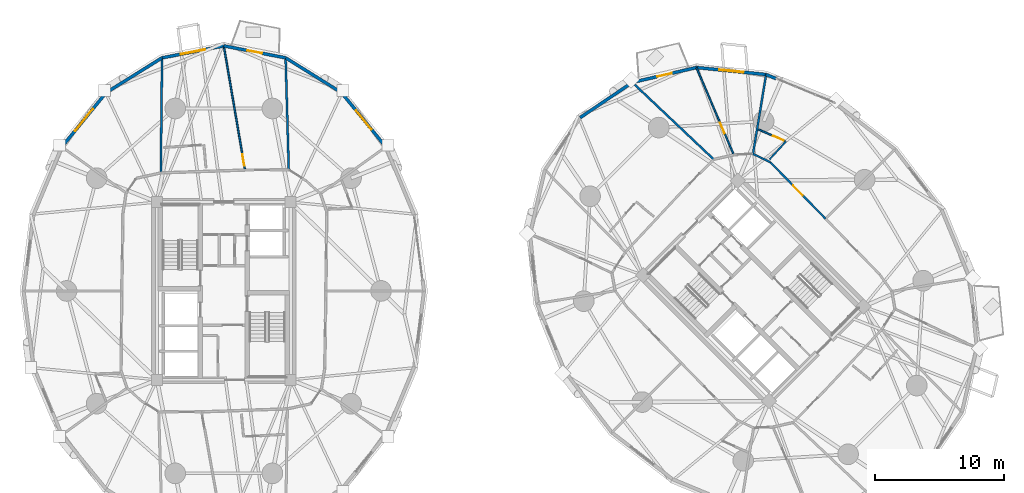
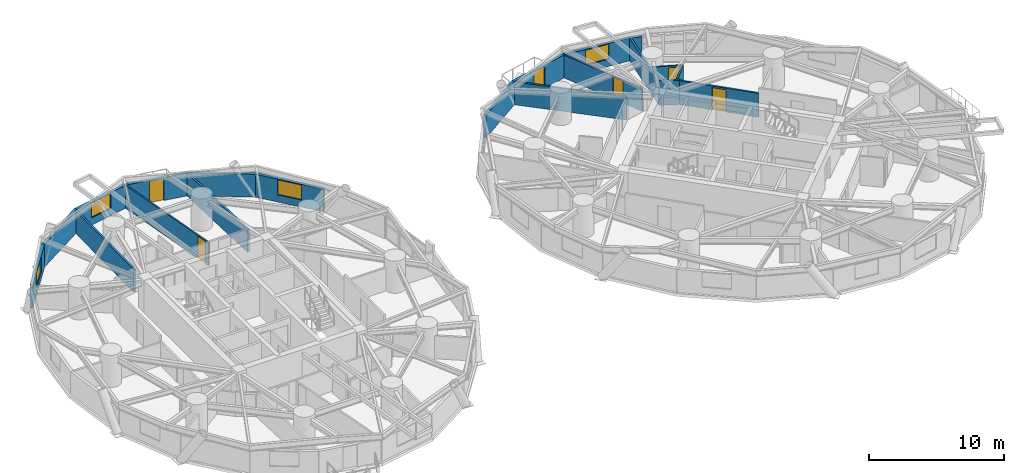
# One storey, part 15 of 19: 20 walls, 6 doors, 4 windows, 10 openings.
"""IFC4 building model written with IfcOpenShell, lengths in metres."""

from ifc_helpers import new_model, si_unit, direction, frame, frame_2d, origin, place, context, subcontext, project, spatial, rectangle, extrude, source, transform, mapped, material, layer, layer_set, type_object, element, fill, save


model = new_model("IFC4")

# Units and contexts
model_context = context("Model", 3, precision=1e-05, world=origin(), true_north=direction((0.0, 1.0)))
body_context = subcontext(model_context, "Body", "Model", "MODEL_VIEW")
ifc_project = project(units=[si_unit("LENGTHUNIT", "METRE"), si_unit("AREAUNIT", "SQUARE_METRE"), si_unit("VOLUMEUNIT", "CUBIC_METRE"), si_unit("PLANEANGLEUNIT", "RADIAN"), si_unit("MASSUNIT", "GRAM", prefix="KILO")], contexts=[model_context])

# Site, building, storey
site_placement = place(None, origin())
site = spatial("IfcSite", under=ifc_project, at=site_placement, CompositionType="ELEMENT")
building_placement = place(site_placement, origin())
building = spatial("IfcBuilding", under=site, at=building_placement, Name="Cununo Teusaquillo Station Towers", CompositionType="ELEMENT")
storey_placement = place(building_placement, frame((0.0, 0.0, 30.72998046875)))
storey = spatial("IfcBuildingStorey", under=building, at=storey_placement, Name="L08", CompositionType="ELEMENT", Elevation=30.72998046875)

# Wall, opening, window
ifc_material_1 = material(Name="Precast concrete C40/50", Category="concrete")
ifc_layer_1 = layer(ifc_material_1, 0.239990234375)
ifc_layer_set_1 = layer_set([ifc_layer_1], Name="Precast concrete C40/50")
wall_type_1 = type_object("IfcWallType", Name="WL-EXT-240", PredefinedType="SOLIDWALL", material=ifc_layer_set_1)
wall_1_placement = place(storey_placement, frame((25.610107421875, 39.84716796875, 0.0), z_axis=(0.0, 0.0, 1.0), x_axis=(0.632710215588, -0.774388651189, 0.0)))
wall_1 = element("IfcWall", 1, at=wall_1_placement, inside=storey, type_object=wall_type_1, Name="L08 Tower A Exterior Facade Wall C02", PredefinedType="SOLIDWALL", context=body_context, shape_type="SweptSolid", body=[
    extrude(rectangle(XDim=5.41943359375, YDim=0.239990234375, at=frame_2d((2.709716796875, 0.0))), origin(), (0.0, 0.0, 1.0), 2.072998046875),
])
shared_shape_1 = source(origin(), body_context, "Body", "SweptSolid", [
    extrude(rectangle(XDim=1.89990234375, YDim=1.35009765625, at=frame_2d((0.949951171875, 0.675048828125))), frame((0.0, 0.1298828125, 0.0), z_axis=(0.0, -1.0, 0.0), x_axis=(1.0, 0.0, 0.0)), (0.0, 0.0, 1.0), 0.260009765625),
])
opening_1_placement = place(wall_1_placement, frame((1.760009765625, 0.0, 0.64990234375)))
opening_1 = element("IfcOpeningElement", 2, at=opening_1_placement, cuts=wall_1, Name="Opening WN-02", PredefinedType="OPENING", context=body_context, shape_type="MappedRepresentation", body=[
    mapped(shared_shape_1, transform((0.0, 0.0, 0.0), x_axis=(1.0, 0.0, 0.0), y_axis=(0.0, 1.0, 0.0), z_axis=(0.0, 0.0, 1.0), scale=1.0)),
])
ifc_material_2 = material(Name="Operable acoustic tinted low-E double glazing", Category="glass")
window_type_1 = type_object("IfcWindowType", Name="WIN-OPER-1900", PartitioningType="DOUBLE_PANEL_VERTICAL", PredefinedType="WINDOW", material=ifc_material_2)
shared_shape_2 = source(origin(), body_context, "Body", "SweptSolid", [
    extrude(rectangle(XDim=1.89990234375, YDim=1.35009765625, at=frame_2d((0.949951171875, 0.675048828125))), frame((0.0, 0.030029296875, 0.0), z_axis=(0.0, -1.0, 0.0), x_axis=(1.0, 0.0, 0.0)), (0.0, 0.0, 1.0), 0.06005859375),
])
window_1_placement = place(opening_1_placement, origin())
window_1 = element("IfcWindow", 3, at=window_1_placement, inside=storey, type_object=window_type_1, Name="L08 Tower A Facade Window C02", OverallHeight=1.35009765625, OverallWidth=1.89990234375, PartitioningType="DOUBLE_PANEL_VERTICAL", PredefinedType="WINDOW", context=body_context, shape_type="MappedRepresentation", body=[
    mapped(shared_shape_2, transform((0.0, 0.0, 0.0), x_axis=(1.0, 0.0, 0.0), y_axis=(0.0, 1.0, 0.0), z_axis=(0.0, 0.0, 1.0), scale=1.0)),
])
fill(opening_1, window_1)

# Wall
wall_2_placement = place(storey_placement, frame((21.28955078125, 42.54150390625, 0.0), z_axis=(0.0, 0.0, 1.0), x_axis=(0.848528534887, -0.529149624853, 0.0)))
element("IfcWall", 4, at=wall_2_placement, inside=storey, type_object=wall_type_1, Name="L08 Tower A Exterior Facade Wall C03", PredefinedType="SOLIDWALL", context=body_context, shape_type="SweptSolid", body=[
    extrude(rectangle(XDim=5.091796875, YDim=0.239990234375, at=frame_2d((2.5458984375, 0.0))), origin(), (0.0, 0.0, 1.0), 2.072998046875),
])

# Wall, opening, door
wall_3_placement = place(storey_placement, frame((16.5, 43.469970703125, 0.0), z_axis=(0.0, 0.0, 1.0), x_axis=(0.981724094622, -0.190309752872, 0.0)))
wall_3 = element("IfcWall", 5, at=wall_3_placement, inside=storey, type_object=wall_type_1, Name="L08 Tower A Exterior Facade Wall C04", PredefinedType="SOLIDWALL", context=body_context, shape_type="SweptSolid", body=[
    extrude(rectangle(XDim=4.878662109375, YDim=0.239990234375, at=frame_2d((2.439453125, 0.0))), origin(), (0.0, 0.0, 1.0), 2.072998046875),
])
shared_shape_3 = source(origin(), body_context, "Body", "SweptSolid", [
    extrude(rectangle(XDim=1.14990234375, YDim=2.0048828125, at=frame_2d((0.574951171875, 1.00244140625))), frame((0.0, 0.1298828125, 0.0), z_axis=(0.0, -1.0, 0.0), x_axis=(1.0, 0.0, 0.0)), (0.0, 0.0, 1.0), 0.260009765625),
])
opening_2_placement = place(wall_3_placement, frame((1.864013671875, 0.0, 0.0)))
opening_2 = element("IfcOpeningElement", 6, at=opening_2_placement, cuts=wall_3, Name="Opening ED-03", PredefinedType="OPENING", context=body_context, shape_type="MappedRepresentation", body=[
    mapped(shared_shape_3, transform((0.0, 0.0, 0.0), x_axis=(1.0, 0.0, 0.0), y_axis=(0.0, 1.0, 0.0), z_axis=(0.0, 0.0, 1.0), scale=1.0)),
])
ifc_material_3 = material(Name="Anodised dark bronze aluminium EN AW-6063-T6", Category="aluminium")
door_type_1 = type_object("IfcDoorType", Name="DR-EXT-BAL", OperationType="NOTDEFINED", PredefinedType="DOOR", material=ifc_material_3)
shared_shape_4 = source(origin(), body_context, "Body", "SweptSolid", [
    extrude(rectangle(XDim=1.14990234375, YDim=2.0048828125, at=frame_2d((0.574951171875, 1.00244140625))), frame((0.0, 0.02490234375, 0.0), z_axis=(0.0, -1.0, 0.0), x_axis=(1.0, 0.0, 0.0)), (0.0, 0.0, 1.0), 0.050048828125),
])
door_1_placement = place(opening_2_placement, origin())
door_1 = element("IfcDoor", 7, at=door_1_placement, inside=storey, type_object=door_type_1, Name="L08 Tower A Tree Balcony Door C04", OperationType="SINGLE_SWING_LEFT", OverallHeight=2.0048828125, OverallWidth=1.14990234375, PredefinedType="DOOR", context=body_context, shape_type="MappedRepresentation", body=[
    mapped(shared_shape_4, transform((0.0, 0.0, 0.0), x_axis=(1.0, 0.0, 0.0), y_axis=(0.0, 1.0, 0.0), z_axis=(0.0, 0.0, 1.0), scale=1.0)),
])
fill(opening_2, door_1)

# Wall, opening, window
wall_4_placement = place(storey_placement, frame((11.71044921875, 42.54150390625, 0.0), z_axis=(0.0, 0.0, 1.0), x_axis=(0.981724094622, 0.190309752872, 0.0)))
wall_4 = element("IfcWall", 8, at=wall_4_placement, inside=storey, type_object=wall_type_1, Name="L08 Tower A Exterior Facade Wall C05", PredefinedType="SOLIDWALL", context=body_context, shape_type="SweptSolid", body=[
    extrude(rectangle(XDim=4.878662109375, YDim=0.239990234375, at=frame_2d((2.439453125, 0.0))), origin(), (0.0, 0.0, 1.0), 2.072998046875),
])
opening_3_placement = place(wall_4_placement, frame((1.489013671875, 0.0, 0.64990234375)))
opening_3 = element("IfcOpeningElement", 9, at=opening_3_placement, cuts=wall_4, Name="Opening WN-02", PredefinedType="OPENING", context=body_context, shape_type="MappedRepresentation", body=[
    mapped(shared_shape_1, transform((0.0, 0.0, 0.0), x_axis=(1.0, 0.0, 0.0), y_axis=(0.0, 1.0, 0.0), z_axis=(0.0, 0.0, 1.0), scale=1.0)),
])
window_2_placement = place(opening_3_placement, origin())
window_2 = element("IfcWindow", 10, at=window_2_placement, inside=storey, type_object=window_type_1, Name="L08 Tower A Facade Window C05", OverallHeight=1.35009765625, OverallWidth=1.89990234375, PartitioningType="DOUBLE_PANEL_VERTICAL", PredefinedType="WINDOW", context=body_context, shape_type="MappedRepresentation", body=[
    mapped(shared_shape_2, transform((0.0, 0.0, 0.0), x_axis=(1.0, 0.0, 0.0), y_axis=(0.0, 1.0, 0.0), z_axis=(0.0, 0.0, 1.0), scale=1.0)),
])
fill(opening_3, window_2)

# Wall
wall_5_placement = place(storey_placement, frame((7.389892578125, 39.84716796875, 0.0), z_axis=(0.0, 0.0, 1.0), x_axis=(0.848528534887, 0.529149624853, 0.0)))
element("IfcWall", 11, at=wall_5_placement, inside=storey, type_object=wall_type_1, Name="L08 Tower A Exterior Facade Wall C06", PredefinedType="SOLIDWALL", context=body_context, shape_type="SweptSolid", body=[
    extrude(rectangle(XDim=5.091796875, YDim=0.239990234375, at=frame_2d((2.5458984375, 0.0))), origin(), (0.0, 0.0, 1.0), 2.072998046875),
])

# Wall, opening, window
wall_6_placement = place(storey_placement, frame((3.9609375, 35.650390625, 0.0), z_axis=(0.0, 0.0, 1.0), x_axis=(0.632710215588, 0.774388651189, 0.0)))
wall_6 = element("IfcWall", 12, at=wall_6_placement, inside=storey, type_object=wall_type_1, Name="L08 Tower A Exterior Facade Wall C07", PredefinedType="SOLIDWALL", context=body_context, shape_type="SweptSolid", body=[
    extrude(rectangle(XDim=5.41943359375, YDim=0.239990234375, at=frame_2d((2.709716796875, 0.0))), origin(), (0.0, 0.0, 1.0), 2.072998046875),
])
shared_shape_5 = source(origin(), body_context, "Body", "SweptSolid", [
    extrude(rectangle(XDim=2.199951171875, YDim=1.35009765625, at=frame_2d((1.10009765625, 0.675048828125))), frame((0.0, 0.1298828125, 0.0), z_axis=(0.0, -1.0, 0.0), x_axis=(1.0, 0.0, 0.0)), (0.0, 0.0, 1.0), 0.260009765625),
])
opening_4_placement = place(wall_6_placement, frame((1.610107421875, 0.0, 0.64990234375)))
opening_4 = element("IfcOpeningElement", 13, at=opening_4_placement, cuts=wall_6, Name="Opening WN-01", PredefinedType="OPENING", context=body_context, shape_type="MappedRepresentation", body=[
    mapped(shared_shape_5, transform((0.0, 0.0, 0.0), x_axis=(1.0, 0.0, 0.0), y_axis=(0.0, 1.0, 0.0), z_axis=(0.0, 0.0, 1.0), scale=1.0)),
])
ifc_material_4 = material(Name="Ceramic-fritted dark low-E double glazing", Category="glass")
window_type_2 = type_object("IfcWindowType", Name="WIN-FRIT-2200", PartitioningType="DOUBLE_PANEL_VERTICAL", PredefinedType="WINDOW", material=ifc_material_4)
shared_shape_6 = source(origin(), body_context, "Body", "SweptSolid", [
    extrude(rectangle(XDim=2.199951171875, YDim=1.35009765625, at=frame_2d((1.10009765625, 0.675048828125))), frame((0.0, 0.030029296875, 0.0), z_axis=(0.0, -1.0, 0.0), x_axis=(1.0, 0.0, 0.0)), (0.0, 0.0, 1.0), 0.06005859375),
])
window_3_placement = place(opening_4_placement, origin())
window_3 = element("IfcWindow", 14, at=window_3_placement, inside=storey, type_object=window_type_2, Name="L08 Tower A Facade Window C07", OverallHeight=1.35009765625, OverallWidth=2.199951171875, PartitioningType="DOUBLE_PANEL_VERTICAL", PredefinedType="WINDOW", context=body_context, shape_type="MappedRepresentation", body=[
    mapped(shared_shape_6, transform((0.0, 0.0, 0.0), x_axis=(1.0, 0.0, 0.0), y_axis=(0.0, 1.0, 0.0), z_axis=(0.0, 0.0, 1.0), scale=1.0)),
])
fill(opening_4, window_3)

# Wall
wall_7_placement = place(storey_placement, frame((58.48193359375, 41.2509765625, 0.0), z_axis=(0.0, 0.0, 1.0), x_axis=(0.924556017656, -0.381046152345, 0.0)))
element("IfcWall", 15, at=wall_7_placement, inside=storey, type_object=wall_type_1, Name="L08 Tower B Column Pier Cladding Wall C01-PA", PredefinedType="SOLIDWALL", context=body_context, shape_type="SweptSolid", body=[
    extrude(rectangle(XDim=0.8701171875, YDim=0.239990234375, at=frame_2d((0.43505859375, 0.0))), origin(), (0.0, 0.0, 1.0), 2.072998046875),
])

# Wall, opening, window
wall_8_placement = place(storey_placement, frame((53.08984375, 41.7939453125, 0.0), z_axis=(0.0, 0.0, 1.0), x_axis=(0.994968263437, -0.100190592135, 0.0)))
wall_8 = element("IfcWall", 16, at=wall_8_placement, inside=storey, type_object=wall_type_1, Name="L08 Tower B Exterior Facade Wall C02", PredefinedType="SOLIDWALL", context=body_context, shape_type="SweptSolid", body=[
    extrude(rectangle(XDim=5.41943359375, YDim=0.239990234375, at=frame_2d((2.709716796875, 0.0))), origin(), (0.0, 0.0, 1.0), 2.072998046875),
])
opening_5_placement = place(wall_8_placement, frame((1.760009765625, 0.0, 0.64990234375)))
opening_5 = element("IfcOpeningElement", 17, at=opening_5_placement, cuts=wall_8, Name="Opening WN-02", PredefinedType="OPENING", context=body_context, shape_type="MappedRepresentation", body=[
    mapped(shared_shape_1, transform((0.0, 0.0, 0.0), x_axis=(1.0, 0.0, 0.0), y_axis=(0.0, 1.0, 0.0), z_axis=(0.0, 0.0, 1.0), scale=1.0)),
])
window_4_placement = place(opening_5_placement, origin())
window_4 = element("IfcWindow", 18, at=window_4_placement, inside=storey, type_object=window_type_1, Name="L08 Tower B Facade Window C02", OverallHeight=1.35009765625, OverallWidth=1.89990234375, PartitioningType="DOUBLE_PANEL_VERTICAL", PredefinedType="WINDOW", context=body_context, shape_type="MappedRepresentation", body=[
    mapped(shared_shape_2, transform((0.0, 0.0, 0.0), x_axis=(1.0, 0.0, 0.0), y_axis=(0.0, 1.0, 0.0), z_axis=(0.0, 0.0, 1.0), scale=1.0)),
])
fill(opening_5, window_4)

# Wall, opening, door
wall_9_placement = place(storey_placement, frame((48.12939453125, 40.64404296875, 0.0), z_axis=(0.0, 0.0, 1.0), x_axis=(0.974167686491, 0.22582585901, 0.0)))
wall_9 = element("IfcWall", 19, at=wall_9_placement, inside=storey, type_object=wall_type_1, Name="L08 Tower B Exterior Facade Wall C03", PredefinedType="SOLIDWALL", context=body_context, shape_type="SweptSolid", body=[
    extrude(rectangle(XDim=5.092041015625, YDim=0.239990234375, at=frame_2d((2.5458984375, 0.0))), origin(), (0.0, 0.0, 1.0), 2.072998046875),
])
opening_6_placement = place(wall_9_placement, frame((1.970947265625, 0.0, 0.0)))
opening_6 = element("IfcOpeningElement", 20, at=opening_6_placement, cuts=wall_9, Name="Opening ED-03", PredefinedType="OPENING", context=body_context, shape_type="MappedRepresentation", body=[
    mapped(shared_shape_3, transform((0.0, 0.0, 0.0), x_axis=(1.0, 0.0, 0.0), y_axis=(0.0, 1.0, 0.0), z_axis=(0.0, 0.0, 1.0), scale=1.0)),
])
door_2_placement = place(opening_6_placement, origin())
door_2 = element("IfcDoor", 21, at=door_2_placement, inside=storey, type_object=door_type_1, Name="L08 Tower B Tree Balcony Door C03", OperationType="SINGLE_SWING_LEFT", OverallHeight=2.0048828125, OverallWidth=1.14990234375, PredefinedType="DOOR", context=body_context, shape_type="MappedRepresentation", body=[
    mapped(shared_shape_4, transform((0.0, 0.0, 0.0), x_axis=(1.0, 0.0, 0.0), y_axis=(0.0, 1.0, 0.0), z_axis=(0.0, 0.0, 1.0), scale=1.0)),
])
fill(opening_6, door_2)

# Wall
wall_10_placement = place(storey_placement, frame((44.086181640625, 37.913818359375, 0.0), z_axis=(0.0, 0.0, 1.0), x_axis=(0.828748297084, 0.559621532896, 0.0)))
element("IfcWall", 22, at=wall_10_placement, inside=storey, type_object=wall_type_1, Name="L08 Tower B Exterior Facade Wall C04", PredefinedType="SOLIDWALL", context=body_context, shape_type="SweptSolid", body=[
    extrude(rectangle(XDim=4.878662109375, YDim=0.239990234375, at=frame_2d((2.439453125, 0.0))), origin(), (0.0, 0.0, 1.0), 2.072998046875),
])

# Wall, opening, door
ifc_material_5 = material(Name="Fire-rated gypsum plasterboard partition assembly", Category="gypsum")
ifc_layer_2 = layer(ifc_material_5, 0.125)
ifc_layer_set_2 = layer_set([ifc_layer_2], Name="Fire-rated gypsum plasterboard partition assembly")
wall_type_2 = type_object("IfcWallType", Name="WL-PART-125", PredefinedType="PARTITIONING", material=ifc_layer_set_2)
wall_11_placement = place(storey_placement, frame((18.142822265625, 33.859619140625, 0.0), z_axis=(0.0, 0.0, 1.0), x_axis=(-0.168840545196, 0.985643378864, 0.0)))
wall_11 = element("IfcWall", 23, at=wall_11_placement, inside=storey, type_object=wall_type_2, Name="L08 Tower A Executive Corner Hotel Suite Suite Subdividing Wall", PredefinedType="PARTITIONING", context=body_context, shape_type="SweptSolid", body=[
    extrude(rectangle(XDim=9.72998046875, YDim=0.125, at=frame_2d((4.864990234375, 0.0))), origin(), (0.0, 0.0, 1.0), 2.072998046875),
])
shared_shape_7 = source(origin(), body_context, "Body", "SweptSolid", [
    extrude(rectangle(XDim=0.89990234375, YDim=2.0048828125, at=frame_2d((0.449951171875, 1.00244140625))), frame((0.0, 0.072509765625, 0.0), z_axis=(0.0, -1.0, 0.0), x_axis=(1.0, 0.0, 0.0)), (0.0, 0.0, 1.0), 0.14501953125),
])
opening_7_placement = place(wall_11_placement, frame((0.330078125, 0.0, 0.0)))
opening_7 = element("IfcOpeningElement", 24, at=opening_7_placement, cuts=wall_11, Name="Opening D-IN1", PredefinedType="OPENING", context=body_context, shape_type="MappedRepresentation", body=[
    mapped(shared_shape_7, transform((0.0, 0.0, 0.0), x_axis=(1.0, 0.0, 0.0), y_axis=(0.0, 1.0, 0.0), z_axis=(0.0, 0.0, 1.0), scale=1.0)),
])
ifc_material_6 = material(Name="Acoustic solid-core hardwood leaf assembly", Category="wood")
door_type_2 = type_object("IfcDoorType", Name="DR-INT-900", OperationType="NOTDEFINED", PredefinedType="DOOR", material=ifc_material_6)
shared_shape_8 = source(origin(), body_context, "Body", "SweptSolid", [
    extrude(rectangle(XDim=0.89990234375, YDim=2.0048828125, at=frame_2d((0.449951171875, 1.00244140625))), frame((0.0, 0.02490234375, 0.0), z_axis=(0.0, -1.0, 0.0), x_axis=(1.0, 0.0, 0.0)), (0.0, 0.0, 1.0), 0.050048828125),
])
door_3_placement = place(opening_7_placement, origin())
door_3 = element("IfcDoor", 25, at=door_3_placement, inside=storey, type_object=door_type_2, Name="L08 Tower A Executive Corner Hotel Suite Suite Connecting Door", OperationType="SINGLE_SWING_LEFT", OverallHeight=2.0048828125, OverallWidth=0.89990234375, PredefinedType="DOOR", context=body_context, shape_type="MappedRepresentation", body=[
    mapped(shared_shape_8, transform((0.0, 0.0, 0.0), x_axis=(1.0, 0.0, 0.0), y_axis=(0.0, 1.0, 0.0), z_axis=(0.0, 0.0, 1.0), scale=1.0)),
])
fill(opening_7, door_3)

wall_12_placement = place(storey_placement, frame((55.98388671875, 35.035400390625, 0.0), z_axis=(0.0, 0.0, 1.0), x_axis=(-0.394244760106, 0.919005478291, 0.0)))
wall_12 = element("IfcWall", 26, at=wall_12_placement, inside=storey, type_object=wall_type_2, Name="L08 Tower B Hotel Club Breakfast Lounge Suite Subdividing Wall", PredefinedType="PARTITIONING", context=body_context, shape_type="SweptSolid", body=[
    extrude(rectangle(XDim=7.332763671875, YDim=0.125, at=frame_2d((3.66650390625, 0.0))), origin(), (0.0, 0.0, 1.0), 2.072998046875),
])
opening_8_placement = place(wall_12_placement, frame((1.800048828125, 0.0, 0.0)))
opening_8 = element("IfcOpeningElement", 27, at=opening_8_placement, cuts=wall_12, Name="Opening D-IN1", PredefinedType="OPENING", context=body_context, shape_type="MappedRepresentation", body=[
    mapped(shared_shape_7, transform((0.0, 0.0, 0.0), x_axis=(1.0, 0.0, 0.0), y_axis=(0.0, 1.0, 0.0), z_axis=(0.0, 0.0, 1.0), scale=1.0)),
])
door_4_placement = place(opening_8_placement, origin())
door_4 = element("IfcDoor", 28, at=door_4_placement, inside=storey, type_object=door_type_2, Name="L08 Tower B Hotel Club Breakfast Lounge Suite Connecting Door", OperationType="SINGLE_SWING_LEFT", OverallHeight=2.0048828125, OverallWidth=0.89990234375, PredefinedType="DOOR", context=body_context, shape_type="MappedRepresentation", body=[
    mapped(shared_shape_8, transform((0.0, 0.0, 0.0), x_axis=(1.0, 0.0, 0.0), y_axis=(0.0, 1.0, 0.0), z_axis=(0.0, 0.0, 1.0), scale=1.0)),
])
fill(opening_8, door_4)

# Wall
wall_13_placement = place(storey_placement, frame((58.755615234375, 34.69384765625, 0.0), z_axis=(0.0, 0.0, 1.0), x_axis=(0.675641726749, 0.73723012491, 0.0)))
element("IfcWall", 29, at=wall_13_placement, inside=storey, type_object=wall_type_2, Name="L08 Tower B S10 En-suite Side Wall", PredefinedType="PARTITIONING", context=body_context, shape_type="SweptSolid", body=[
    extrude(rectangle(XDim=1.8671875, YDim=0.125, at=frame_2d((0.93359375, 0.0))), origin(), (0.0, 0.0, 1.0), 2.205078125),
])

# Wall, opening, door
wall_14_placement = place(storey_placement, frame((59.952392578125, 36.0986328125, 0.0), z_axis=(0.0, 0.0, 1.0), x_axis=(-0.915914750605, 0.401372856113, 0.0)))
wall_14 = element("IfcWall", 30, at=wall_14_placement, inside=storey, type_object=wall_type_2, Name="L08 Tower B S10 En-suite Back Wall", PredefinedType="PARTITIONING", context=body_context, shape_type="SweptSolid", body=[
    extrude(rectangle(XDim=2.26513671875, YDim=0.125, at=frame_2d((1.132568359375, 0.0))), origin(), (0.0, 0.0, 1.0), 2.158935546875),
])
opening_9_placement = place(wall_14_placement, frame((0.1201171875, 0.0, 0.0)))
opening_9 = element("IfcOpeningElement", 31, at=opening_9_placement, cuts=wall_14, Name="Opening D-IN1", PredefinedType="OPENING", context=body_context, shape_type="MappedRepresentation", body=[
    mapped(shared_shape_7, transform((0.0, 0.0, 0.0), x_axis=(1.0, 0.0, 0.0), y_axis=(0.0, 1.0, 0.0), z_axis=(0.0, 0.0, 1.0), scale=1.0)),
])
door_5_placement = place(opening_9_placement, origin())
door_5 = element("IfcDoor", 32, at=door_5_placement, inside=storey, type_object=door_type_2, Name="L08 Tower B S10 En-suite Bathroom Door", OperationType="SINGLE_SWING_LEFT", OverallHeight=2.0048828125, OverallWidth=0.89990234375, PredefinedType="DOOR", context=body_context, shape_type="MappedRepresentation", body=[
    mapped(shared_shape_8, transform((0.0, 0.0, 0.0), x_axis=(1.0, 0.0, 0.0), y_axis=(0.0, 1.0, 0.0), z_axis=(0.0, 0.0, 1.0), scale=1.0)),
])
fill(opening_9, door_5)

ifc_material_7 = material(Name="Fire-rated gypsum plasterboard partition assembly", Category="gypsum")
ifc_layer_3 = layer(ifc_material_7, 0.14990234375)
ifc_layer_set_3 = layer_set([ifc_layer_3], Name="Fire-rated gypsum plasterboard partition assembly")
wall_type_3 = type_object("IfcWallType", Name="WL-PART-150", PredefinedType="PARTITIONING", material=ifc_layer_set_3)
wall_15_placement = place(storey_placement, frame((63.086181640625, 30.086181640625, 0.0), z_axis=(0.0, 0.0, 1.0), x_axis=(-0.699075897379, 0.715047473741, 0.0)))
wall_15 = element("IfcWall", 33, at=wall_15_placement, inside=storey, type_object=wall_type_3, Name="L08 Tower B Corridor Ring Wall C00", PredefinedType="PARTITIONING", context=body_context, shape_type="SweptSolid", body=[
    extrude(rectangle(XDim=6.1142578125, YDim=0.14990234375, at=frame_2d((3.05712890625, 0.0))), origin(), (0.0, 0.0, 1.0), 2.158935546875),
])
shared_shape_9 = source(origin(), body_context, "Body", "SweptSolid", [
    extrude(rectangle(XDim=1.050048828125, YDim=2.014892578125, at=frame_2d((0.52490234375, 1.00732421875))), frame((0.0, 0.0849609375, 0.0), z_axis=(0.0, -1.0, 0.0), x_axis=(1.0, 0.0, 0.0)), (0.0, 0.0, 1.0), 0.169921875),
])
opening_10_placement = place(wall_15_placement, frame((2.5322265625, 0.0, 0.0)))
opening_10 = element("IfcOpeningElement", 34, at=opening_10_placement, cuts=wall_15, Name="Opening D-SU1", PredefinedType="OPENING", context=body_context, shape_type="MappedRepresentation", body=[
    mapped(shared_shape_9, transform((0.0, 0.0, 0.0), x_axis=(1.0, 0.0, 0.0), y_axis=(0.0, 1.0, 0.0), z_axis=(0.0, 0.0, 1.0), scale=1.0)),
])
ifc_material_8 = material(Name="Acoustic solid-core hardwood leaf assembly", Category="wood")
door_type_3 = type_object("IfcDoorType", Name="DR-SUITE-1050", OperationType="NOTDEFINED", PredefinedType="DOOR", material=ifc_material_8)
shared_shape_10 = source(origin(), body_context, "Body", "SweptSolid", [
    extrude(rectangle(XDim=1.050048828125, YDim=2.014892578125, at=frame_2d((0.52490234375, 1.00732421875))), frame((0.0, 0.02490234375, 0.0), z_axis=(0.0, -1.0, 0.0), x_axis=(1.0, 0.0, 0.0)), (0.0, 0.0, 1.0), 0.050048828125),
])
door_6_placement = place(opening_10_placement, origin())
door_6 = element("IfcDoor", 35, at=door_6_placement, inside=storey, type_object=door_type_3, Name="L08 Tower B Premier Corner Hotel Suite Entrance Door", OperationType="SINGLE_SWING_RIGHT", OverallHeight=2.014892578125, OverallWidth=1.050048828125, PredefinedType="DOOR", context=body_context, shape_type="MappedRepresentation", body=[
    mapped(shared_shape_10, transform((0.0, 0.0, 0.0), x_axis=(1.0, 0.0, 0.0), y_axis=(0.0, 1.0, 0.0), z_axis=(0.0, 0.0, 1.0), scale=1.0)),
])
fill(opening_10, door_6)

# Walls
wall_16_placement = place(storey_placement, frame((58.811767578125, 34.458251953125, 0.0), z_axis=(0.0, 0.0, 1.0), x_axis=(-0.899559490277, 0.436798264021, 0.0)))
element("IfcWall", 36, at=wall_16_placement, inside=storey, type_object=wall_type_3, Name="L08 Tower B Corridor Ring Wall C01", PredefinedType="PARTITIONING", context=body_context, shape_type="SweptSolid", body=[
    extrude(rectangle(XDim=1.4951171875, YDim=0.14990234375, at=frame_2d((0.74755859375, 0.0))), origin(), (0.0, 0.0, 1.0), 2.205078125),
])
ifc_material_9 = material(Name="Fire-rated gypsum plasterboard partition assembly", Category="gypsum")
ifc_layer_4 = layer(ifc_material_9, 0.159912109375)
ifc_layer_set_4 = layer_set([ifc_layer_4], Name="Fire-rated gypsum plasterboard partition assembly")
wall_type_4 = type_object("IfcWallType", Name="WL-PART-160", PredefinedType="PARTITIONING", material=ifc_layer_set_4)
wall_17_placement = place(storey_placement, frame((21.52685546875, 33.873291015625, 0.0), z_axis=(0.0, 0.0, 1.0), x_axis=(-0.028159433134, 0.999603444535, 0.0)))
element("IfcWall", 37, at=wall_17_placement, inside=storey, type_object=wall_type_4, Name="L08 Tower A Radial Suite Partition R03", PredefinedType="PARTITIONING", context=body_context, shape_type="SweptSolid", body=[
    extrude(rectangle(XDim=8.652587890625, YDim=0.159912109375, at=frame_2d((4.326171875, 0.0))), origin(), (0.0, 0.0, 1.0), 2.072998046875),
])
wall_18_placement = place(storey_placement, frame((11.619873046875, 33.63720703125, 0.0), z_axis=(0.0, 0.0, 1.0), x_axis=(0.01090774254, 0.999940508807, 0.0)))
element("IfcWall", 38, at=wall_18_placement, inside=storey, type_object=wall_type_4, Name="L08 Tower A Radial Suite Partition R04", PredefinedType="PARTITIONING", context=body_context, shape_type="SweptSolid", body=[
    extrude(rectangle(XDim=8.8857421875, YDim=0.159912109375, at=frame_2d((4.44287109375, 0.0))), origin(), (0.0, 0.0, 1.0), 2.072998046875),
])
wall_19_placement = place(storey_placement, frame((57.466796875, 35.111328125, 0.0), z_axis=(0.0, 0.0, 1.0), x_axis=(0.163141505202, 0.986602680556, 0.0)))
element("IfcWall", 39, at=wall_19_placement, inside=storey, type_object=wall_type_4, Name="L08 Tower B Radial Suite Partition R02", PredefinedType="PARTITIONING", context=body_context, shape_type="SweptSolid", body=[
    extrude(rectangle(XDim=6.202880859375, YDim=0.159912109375, at=frame_2d((3.1015625, 0.0))), origin(), (0.0, 0.0, 1.0), 2.072998046875),
])
wall_20_placement = place(storey_placement, frame((54.426513671875, 34.6826171875, 0.0), z_axis=(0.0, 0.0, 1.0), x_axis=(-0.726732956694, 0.686920089716, 0.0)))
element("IfcWall", 40, at=wall_20_placement, inside=storey, type_object=wall_type_4, Name="L08 Tower B Radial Suite Partition R03", PredefinedType="PARTITIONING", context=body_context, shape_type="SweptSolid", body=[
    extrude(rectangle(XDim=8.652587890625, YDim=0.159912109375, at=frame_2d((4.326171875, 0.0))), origin(), (0.0, 0.0, 1.0), 2.072998046875),
])

save(model, "model.ifc")
